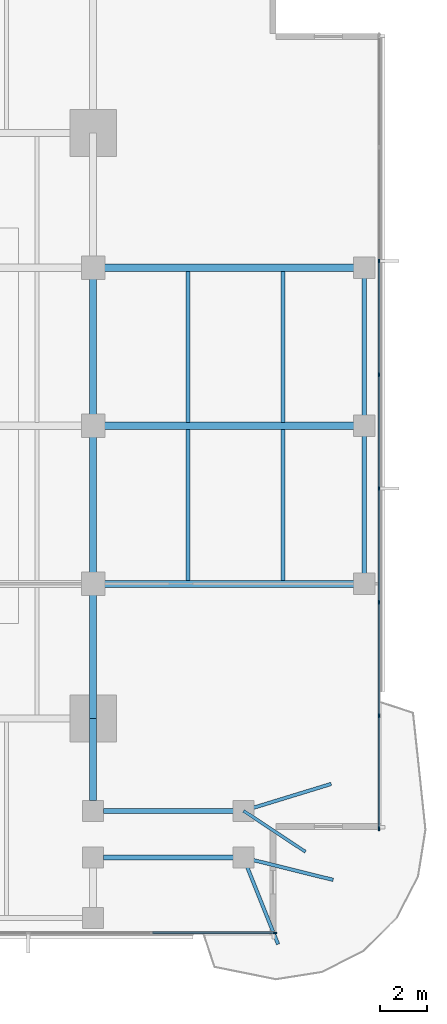
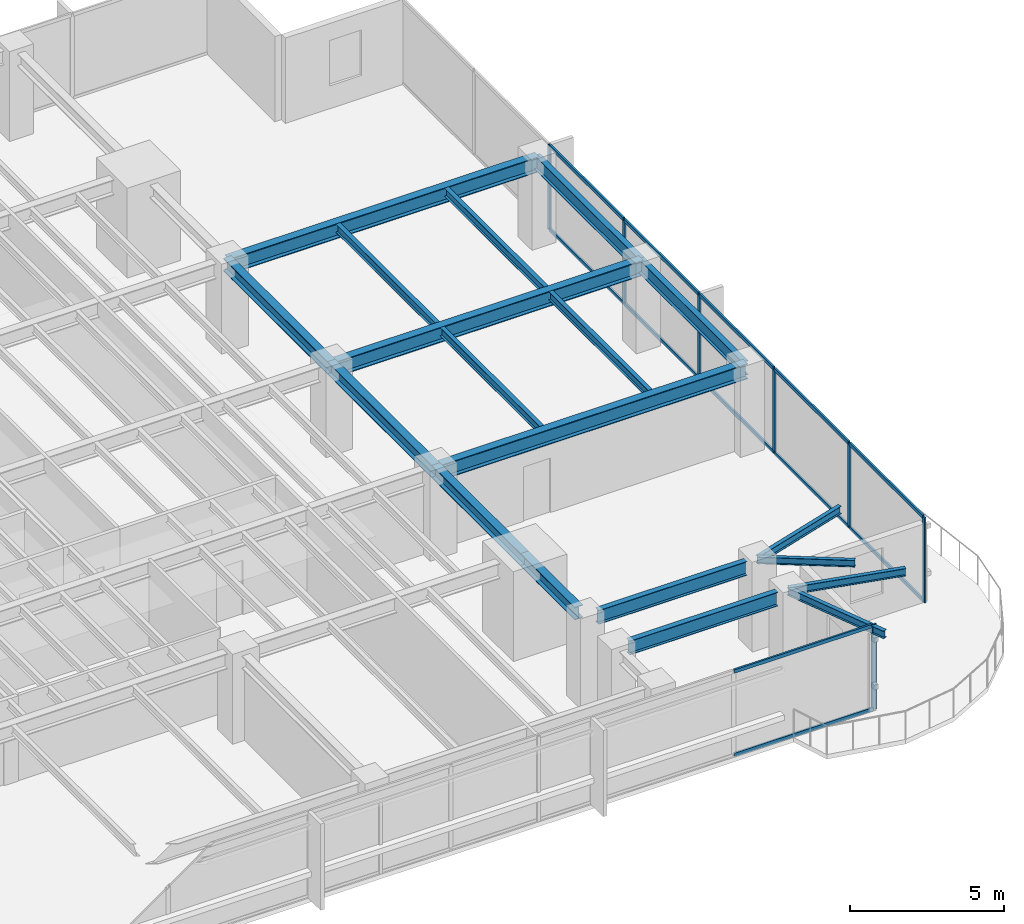
# One storey, part 4 of 14: 19 beams, 19 members, 2 elements without a shape of their own.
"""IFC4 building model written with IfcOpenShell, lengths in metres."""

from ifc_helpers import new_model, si_unit, direction, frame, origin, origin_2d, place, context, subcontext, project, spatial, rectangle, i_section, extrude, material, layer, layer_set, material_profile, profile_set, type_object, element, aggregate, save


model = new_model("IFC4")

# Units and contexts
model_context = context("Model", 3, precision=1e-05, world=origin(), true_north=direction((0.0, 1.0)))
body_context = subcontext(model_context, "Body", "Model", "MODEL_VIEW")
ifc_project = project(units=[si_unit("LENGTHUNIT", "METRE"), si_unit("AREAUNIT", "SQUARE_METRE"), si_unit("VOLUMEUNIT", "CUBIC_METRE"), si_unit("PLANEANGLEUNIT", "RADIAN"), si_unit("MASSUNIT", "GRAM", prefix="KILO")], contexts=[model_context])

# Site, building, storey
site_placement = place(None, origin())
site = spatial("IfcSite", under=ifc_project, at=site_placement, CompositionType="ELEMENT")
building_placement = place(site_placement, origin())
building = spatial("IfcBuilding", under=site, at=building_placement, Name="Kinhvarn Gate Tower", CompositionType="ELEMENT")
storey_placement = place(building_placement, frame((0.0, 0.0, 137.75)))
storey = spatial("IfcBuildingStorey", under=building, at=storey_placement, Name="L36", CompositionType="ELEMENT", Elevation=137.75)

# Curtain wall, member
ifc_material_1 = material(Name="Anodised aluminium AW-6063", Category="aluminium")
ifc_layer = layer(ifc_material_1, 0.179931640625)
ifc_layer_set = layer_set([ifc_layer], Name="Anodised aluminium AW-6063")
curtain_wall_type = type_object("IfcCurtainWallType", Name="CW-SYS-3", PredefinedType="NOTDEFINED", material=ifc_layer_set)
curtain_wall_1_placement = place(storey_placement, origin())
curtain_wall_1 = element("IfcCurtainWall", 1, at=curtain_wall_1_placement, inside=storey, type_object=curtain_wall_type, Name="Curtain Wall CW3 (L36)", PredefinedType="NOTDEFINED")
ifc_material_profile_1 = material_profile(ifc_material_1, rectangle(XDim=0.06494140625, YDim=0.159912109375, at=origin_2d()), Name="ALU 65x160")
ifc_profile_set_1 = profile_set([ifc_material_profile_1], Name="Anodised aluminium AW-6063")
member_type_1 = type_object("IfcMemberType", Name="CW-MUL-160", PredefinedType="MULLION", material=ifc_profile_set_1)
member_1_placement = place(storey_placement, frame((45.967529296875, 3.590087890625, 0.0), z_axis=(0.0, 0.0, 1.0), x_axis=(0.0, 1.0, 0.0)))
member_1 = element("IfcMember", 2, at=member_1_placement, type_object=member_type_1, Name="CW3 mullion 8", PredefinedType="MULLION", context=body_context, shape_type="SweptSolid", body=[
    extrude(rectangle(XDim=0.06494140625, YDim=0.159912109375, at=origin_2d()), origin(), (0.0, 0.0, 1.0), 3.3701171875),
])

# Curtain wall, members
curtain_wall_2_placement = place(storey_placement, origin())
curtain_wall_2 = element("IfcCurtainWall", 3, at=curtain_wall_2_placement, inside=storey, type_object=curtain_wall_type, Name="Curtain Wall CW3 (L36)", PredefinedType="NOTDEFINED")
member_2_placement = place(storey_placement, frame((50.409912109375, 8.032470703125, 0.0), z_axis=(0.0, 0.0, 1.0), x_axis=(-1.0, 0.0, 0.0)))
member_2 = element("IfcMember", 4, at=member_2_placement, type_object=member_type_1, Name="CW3 mullion 1", PredefinedType="MULLION", context=body_context, shape_type="SweptSolid", body=[
    extrude(rectangle(XDim=0.06494140625, YDim=0.159912109375, at=origin_2d()), origin(), (0.0, 0.0, 1.0), 3.3701171875),
])
member_3_placement = place(storey_placement, frame((50.409912109375, 12.857177734375, 0.0), z_axis=(0.0, 0.0, 1.0), x_axis=(-1.0, 0.0, 0.0)))
member_3 = element("IfcMember", 5, at=member_3_placement, type_object=member_type_1, Name="CW3 mullion 2", PredefinedType="MULLION", context=body_context, shape_type="SweptSolid", body=[
    extrude(rectangle(XDim=0.06494140625, YDim=0.159912109375, at=origin_2d()), origin(), (0.0, 0.0, 1.0), 3.3701171875),
])
member_4_placement = place(storey_placement, frame((50.409912109375, 17.71435546875, 0.0), z_axis=(0.0, 0.0, 1.0), x_axis=(-1.0, 0.0, 0.0)))
member_4 = element("IfcMember", 6, at=member_4_placement, type_object=member_type_1, Name="CW3 mullion 3", PredefinedType="MULLION", context=body_context, shape_type="SweptSolid", body=[
    extrude(rectangle(XDim=0.06494140625, YDim=0.159912109375, at=origin_2d()), origin(), (0.0, 0.0, 1.0), 3.3701171875),
])
member_5_placement = place(storey_placement, frame((50.409912109375, 22.571533203125, 0.0), z_axis=(0.0, 0.0, 1.0), x_axis=(-1.0, 0.0, 0.0)))
member_5 = element("IfcMember", 7, at=member_5_placement, type_object=member_type_1, Name="CW3 mullion 4", PredefinedType="MULLION", context=body_context, shape_type="SweptSolid", body=[
    extrude(rectangle(XDim=0.06494140625, YDim=0.159912109375, at=origin_2d()), origin(), (0.0, 0.0, 1.0), 3.3701171875),
])
member_6_placement = place(storey_placement, frame((50.409912109375, 27.428466796875, 0.0), z_axis=(0.0, 0.0, 1.0), x_axis=(-1.0, 0.0, 0.0)))
member_6 = element("IfcMember", 8, at=member_6_placement, type_object=member_type_1, Name="CW3 mullion 5", PredefinedType="MULLION", context=body_context, shape_type="SweptSolid", body=[
    extrude(rectangle(XDim=0.06494140625, YDim=0.159912109375, at=origin_2d()), origin(), (0.0, 0.0, 1.0), 3.3701171875),
])
member_7_placement = place(storey_placement, frame((50.409912109375, 32.28564453125, 0.0), z_axis=(0.0, 0.0, 1.0), x_axis=(-1.0, 0.0, 0.0)))
member_7 = element("IfcMember", 9, at=member_7_placement, type_object=member_type_1, Name="CW3 mullion 6", PredefinedType="MULLION", context=body_context, shape_type="SweptSolid", body=[
    extrude(rectangle(XDim=0.06494140625, YDim=0.159912109375, at=origin_2d()), origin(), (0.0, 0.0, 1.0), 3.3701171875),
])

# Member
ifc_material_profile_2 = material_profile(ifc_material_1, rectangle(XDim=0.070068359375, YDim=0.139892578125, at=origin_2d()), Name="ALU 70x140")
ifc_profile_set_2 = profile_set([ifc_material_profile_2], Name="Anodised aluminium AW-6063")
member_type_2 = type_object("IfcMemberType", Name="CW-TRN-140", PredefinedType="USERDEFINED", material=ifc_profile_set_2)
member_8_placement = place(storey_placement, frame((40.746826171875, 3.590087890625, 0.034912109375), z_axis=(1.0, 0.0, 0.0), x_axis=(0.0, 1.0, 0.0)))
member_8 = element("IfcMember", 10, at=member_8_placement, type_object=member_type_2, Name="CW3 transom 7.1", ObjectType="TRANSOM", PredefinedType="USERDEFINED", context=body_context, shape_type="SweptSolid", body=[
    extrude(rectangle(XDim=0.070068359375, YDim=0.139892578125, at=origin_2d()), origin(), (0.0, 0.0, 1.0), 5.188232421875),
])

member_9_placement = place(storey_placement, frame((40.746826171875, 3.590087890625, 3.3349609375), z_axis=(1.0, 0.0, 0.0), x_axis=(0.0, 1.0, 0.0)))
member_9 = element("IfcMember", 11, at=member_9_placement, type_object=member_type_2, Name="CW3 transom 7.2", ObjectType="TRANSOM", PredefinedType="USERDEFINED", context=body_context, shape_type="SweptSolid", body=[
    extrude(rectangle(XDim=0.070068359375, YDim=0.139892578125, at=origin_2d()), origin(), (0.0, 0.0, 1.0), 5.188232421875),
])

aggregate(curtain_wall_1, [member_1, member_8, member_9])

member_10_placement = place(storey_placement, frame((50.409912109375, 8.06494140625, 0.034912109375), z_axis=(0.0, 1.0, 0.0), x_axis=(-1.0, 0.0, 0.0)))
member_10 = element("IfcMember", 12, at=member_10_placement, type_object=member_type_2, Name="CW3 transom 1.1", ObjectType="TRANSOM", PredefinedType="USERDEFINED", context=body_context, shape_type="SweptSolid", body=[
    extrude(rectangle(XDim=0.070068359375, YDim=0.139892578125, at=origin_2d()), origin(), (0.0, 0.0, 1.0), 4.759765625),
])

member_11_placement = place(storey_placement, frame((50.409912109375, 8.06494140625, 3.3349609375), z_axis=(0.0, 1.0, 0.0), x_axis=(-1.0, 0.0, 0.0)))
member_11 = element("IfcMember", 13, at=member_11_placement, type_object=member_type_2, Name="CW3 transom 1.2", ObjectType="TRANSOM", PredefinedType="USERDEFINED", context=body_context, shape_type="SweptSolid", body=[
    extrude(rectangle(XDim=0.070068359375, YDim=0.139892578125, at=origin_2d()), origin(), (0.0, 0.0, 1.0), 4.759765625),
])

member_12_placement = place(storey_placement, frame((50.409912109375, 12.8896484375, 0.034912109375), z_axis=(0.0, 1.0, 0.0), x_axis=(-1.0, 0.0, 0.0)))
member_12 = element("IfcMember", 14, at=member_12_placement, type_object=member_type_2, Name="CW3 transom 2.1", ObjectType="TRANSOM", PredefinedType="USERDEFINED", context=body_context, shape_type="SweptSolid", body=[
    extrude(rectangle(XDim=0.070068359375, YDim=0.139892578125, at=origin_2d()), origin(), (0.0, 0.0, 1.0), 4.792236328125),
])

member_13_placement = place(storey_placement, frame((50.409912109375, 12.8896484375, 3.3349609375), z_axis=(0.0, 1.0, 0.0), x_axis=(-1.0, 0.0, 0.0)))
member_13 = element("IfcMember", 15, at=member_13_placement, type_object=member_type_2, Name="CW3 transom 2.2", ObjectType="TRANSOM", PredefinedType="USERDEFINED", context=body_context, shape_type="SweptSolid", body=[
    extrude(rectangle(XDim=0.070068359375, YDim=0.139892578125, at=origin_2d()), origin(), (0.0, 0.0, 1.0), 4.792236328125),
])

member_14_placement = place(storey_placement, frame((50.409912109375, 17.746826171875, 0.034912109375), z_axis=(0.0, 1.0, 0.0), x_axis=(-1.0, 0.0, 0.0)))
member_14 = element("IfcMember", 16, at=member_14_placement, type_object=member_type_2, Name="CW3 transom 3.1", ObjectType="TRANSOM", PredefinedType="USERDEFINED", context=body_context, shape_type="SweptSolid", body=[
    extrude(rectangle(XDim=0.070068359375, YDim=0.139892578125, at=origin_2d()), origin(), (0.0, 0.0, 1.0), 4.7919921875),
])

member_15_placement = place(storey_placement, frame((50.409912109375, 17.746826171875, 3.3349609375), z_axis=(0.0, 1.0, 0.0), x_axis=(-1.0, 0.0, 0.0)))
member_15 = element("IfcMember", 17, at=member_15_placement, type_object=member_type_2, Name="CW3 transom 3.2", ObjectType="TRANSOM", PredefinedType="USERDEFINED", context=body_context, shape_type="SweptSolid", body=[
    extrude(rectangle(XDim=0.070068359375, YDim=0.139892578125, at=origin_2d()), origin(), (0.0, 0.0, 1.0), 4.7919921875),
])

member_16_placement = place(storey_placement, frame((50.409912109375, 22.60400390625, 0.034912109375), z_axis=(0.0, 1.0, 0.0), x_axis=(-1.0, 0.0, 0.0)))
member_16 = element("IfcMember", 18, at=member_16_placement, type_object=member_type_2, Name="CW3 transom 4.1", ObjectType="TRANSOM", PredefinedType="USERDEFINED", context=body_context, shape_type="SweptSolid", body=[
    extrude(rectangle(XDim=0.070068359375, YDim=0.139892578125, at=origin_2d()), origin(), (0.0, 0.0, 1.0), 4.7919921875),
])

member_17_placement = place(storey_placement, frame((50.409912109375, 22.60400390625, 3.3349609375), z_axis=(0.0, 1.0, 0.0), x_axis=(-1.0, 0.0, 0.0)))
member_17 = element("IfcMember", 19, at=member_17_placement, type_object=member_type_2, Name="CW3 transom 4.2", ObjectType="TRANSOM", PredefinedType="USERDEFINED", context=body_context, shape_type="SweptSolid", body=[
    extrude(rectangle(XDim=0.070068359375, YDim=0.139892578125, at=origin_2d()), origin(), (0.0, 0.0, 1.0), 4.7919921875),
])

member_18_placement = place(storey_placement, frame((50.409912109375, 27.461181640625, 0.034912109375), z_axis=(0.0, 1.0, 0.0), x_axis=(-1.0, 0.0, 0.0)))
member_18 = element("IfcMember", 20, at=member_18_placement, type_object=member_type_2, Name="CW3 transom 5.1", ObjectType="TRANSOM", PredefinedType="USERDEFINED", context=body_context, shape_type="SweptSolid", body=[
    extrude(rectangle(XDim=0.070068359375, YDim=0.139892578125, at=origin_2d()), origin(), (0.0, 0.0, 1.0), 4.7919921875),
])

member_19_placement = place(storey_placement, frame((50.409912109375, 27.461181640625, 3.3349609375), z_axis=(0.0, 1.0, 0.0), x_axis=(-1.0, 0.0, 0.0)))
member_19 = element("IfcMember", 21, at=member_19_placement, type_object=member_type_2, Name="CW3 transom 5.2", ObjectType="TRANSOM", PredefinedType="USERDEFINED", context=body_context, shape_type="SweptSolid", body=[
    extrude(rectangle(XDim=0.070068359375, YDim=0.139892578125, at=origin_2d()), origin(), (0.0, 0.0, 1.0), 4.7919921875),
])

aggregate(curtain_wall_2, [member_2, member_3, member_4, member_5, member_6, member_7, member_10, member_11, member_12, member_13, member_14, member_15, member_16, member_17, member_18, member_19])

# Beams
ifc_material_2 = material(Name="Steel S355", Category="steel")
ifc_material_profile_3 = material_profile(ifc_material_2, i_section(OverallWidth=0.300048828125, OverallDepth=0.5, WebThickness=0.014404296875, FlangeThickness=0.028076171875, at=origin_2d()), Name="HEB 500")
ifc_profile_set_3 = profile_set([ifc_material_profile_3], Name="Steel S355")
beam_type_1 = type_object("IfcBeamType", Name="STL-HEB500", PredefinedType="BEAM", material=ifc_profile_set_3)
beam_1_placement = place(storey_placement, frame((38.199951171875, 9.235107421875, 3.1201171875), z_axis=(0.0, 1.0, 0.0), x_axis=(-1.0, 0.0, 0.0)))
element("IfcBeam", 22, at=beam_1_placement, inside=storey, type_object=beam_type_1, Name="Floor Beam PG-14 (L36 MCE-S-A2)", PredefinedType="BEAM", context=body_context, shape_type="SweptSolid", body=[
    extrude(i_section(OverallWidth=0.300048828125, OverallDepth=0.5, WebThickness=0.014404296875, FlangeThickness=0.028076171875, at=origin_2d()), origin(), (0.0, 0.0, 1.0), 3.514892578125),
])
beam_2_placement = place(storey_placement, frame((38.199951171875, 12.75, 3.1201171875), z_axis=(0.0, 1.0, 0.0), x_axis=(-1.0, 0.0, 0.0)))
element("IfcBeam", 23, at=beam_2_placement, inside=storey, type_object=beam_type_1, Name="Floor Beam PG-14 (L36 MG-E-12)", PredefinedType="BEAM", context=body_context, shape_type="SweptSolid", body=[
    extrude(i_section(OverallWidth=0.300048828125, OverallDepth=0.5, WebThickness=0.014404296875, FlangeThickness=0.028076171875, at=origin_2d()), origin(), (0.0, 0.0, 1.0), 5.75),
])
for number, where, z_axis, x_axis, name in (
    (24, (38.199951171875, 18.5, 3.1201171875), (0.0, 1.0, 0.0), (-1.0, 0.0, 0.0), "Floor Beam PG-14 (L36 MG-E-18)"),
    (25, (38.199951171875, 25.25, 3.1201171875), (0.0, 1.0, 0.0), (-1.0, 0.0, 0.0), "Floor Beam PG-14 (L36 MG-E-25)"),
):
    element("IfcBeam", number, at=place(storey_placement, frame(where, z_axis=z_axis, x_axis=x_axis)), inside=storey, type_object=beam_type_1, Name=name, PredefinedType="BEAM", context=body_context, shape_type="SweptSolid", body=[
        extrude(i_section(OverallWidth=0.300048828125, OverallDepth=0.5, WebThickness=0.014404296875, FlangeThickness=0.028076171875, at=origin_2d()), origin(), (0.0, 0.0, 1.0), 6.75),
    ])
ifc_material_profile_4 = material_profile(ifc_material_2, i_section(OverallWidth=0.300048828125, OverallDepth=0.60009765625, WebThickness=0.015380859375, FlangeThickness=0.030029296875, at=origin_2d()), Name="HEB 600")
ifc_profile_set_4 = profile_set([ifc_material_profile_4], Name="Steel S355")
beam_type_2 = type_object("IfcBeamType", Name="STL-HEB600", PredefinedType="BEAM", material=ifc_profile_set_4)
for number, where, z_axis, x_axis, name in (
    (26, (38.199951171875, 18.5, 3.070068359375), (1.0, 0.0, 0.0), (0.0, 1.0, 0.0), "Floor Beam PG-16 (L36 EW2-Y18)"),
    (27, (38.199951171875, 25.25, 3.070068359375), (1.0, 0.0, 0.0), (0.0, 1.0, 0.0), "Floor Beam PG-16 (L36 EW2-Y25)"),
    (28, (38.199951171875, 32.0, 3.070068359375), (1.0, 0.0, 0.0), (0.0, 1.0, 0.0), "Floor Beam PG-16 (L36 EW2-Y32)"),
):
    element("IfcBeam", number, at=place(storey_placement, frame(where, z_axis=z_axis, x_axis=x_axis)), inside=storey, type_object=beam_type_2, Name=name, PredefinedType="BEAM", context=body_context, shape_type="SweptSolid", body=[
        extrude(i_section(OverallWidth=0.300048828125, OverallDepth=0.60009765625, WebThickness=0.015380859375, FlangeThickness=0.030029296875, at=origin_2d()), origin(), (0.0, 0.0, 1.0), 11.580078125),
    ])
ifc_material_profile_5 = material_profile(ifc_material_2, i_section(OverallWidth=0.135009765625, OverallDepth=0.27001953125, WebThickness=0.006591796875, FlangeThickness=0.01025390625, at=origin_2d()), Name="IPE 270")
ifc_profile_set_5 = profile_set([ifc_material_profile_5], Name="Steel S355")
beam_type_3 = type_object("IfcBeamType", Name="STL-IPE270", PredefinedType="JOIST", material=ifc_profile_set_5)
beam_3_placement = place(storey_placement, frame((44.6201171875, 8.800048828125, 3.235107421875), z_axis=(0.834455271211, -0.5510756757, 0.0), x_axis=(0.5510756757, 0.834455271211, 0.0)))
element("IfcBeam", 29, at=beam_3_placement, inside=storey, type_object=beam_type_3, Name="Floor Joist SB-01 (L36 BAL-B3-L37)", PredefinedType="JOIST", context=body_context, shape_type="SweptSolid", body=[
    extrude(i_section(OverallWidth=0.135009765625, OverallDepth=0.27001953125, WebThickness=0.006591796875, FlangeThickness=0.01025390625, at=origin_2d()), origin(), (0.0, 0.0, 1.0), 3.175537109375),
])
ifc_material_profile_6 = material_profile(ifc_material_2, i_section(OverallWidth=0.14990234375, OverallDepth=0.300048828125, WebThickness=0.007080078125, FlangeThickness=0.0107421875, at=origin_2d()), Name="IPE 300")
ifc_profile_set_6 = profile_set([ifc_material_profile_6], Name="Steel S355")
beam_type_4 = type_object("IfcBeamType", Name="STL-IPE300", PredefinedType="JOIST", material=ifc_profile_set_6)
beam_4_placement = place(storey_placement, frame((44.6201171875, 6.800048828125, 3.219970703125), z_axis=(0.97058851083, -0.240744558911, 0.0), x_axis=(0.240744558911, 0.97058851083, 0.0)))
element("IfcBeam", 30, at=beam_4_placement, inside=storey, type_object=beam_type_4, Name="Floor Joist SB-02 (L36 BAL-B1-L37)", PredefinedType="JOIST", context=body_context, shape_type="SweptSolid", body=[
    extrude(i_section(OverallWidth=0.14990234375, OverallDepth=0.300048828125, WebThickness=0.007080078125, FlangeThickness=0.0107421875, at=origin_2d()), origin(), (0.0, 0.0, 1.0), 3.94580078125),
])
beam_5_placement = place(storey_placement, frame((44.6201171875, 6.800048828125, 3.219970703125), z_axis=(0.371390676354, -0.928476690885, 0.0), x_axis=(0.928476690885, 0.371390676354, 0.0)))
element("IfcBeam", 31, at=beam_5_placement, inside=storey, type_object=beam_type_4, Name="Floor Joist SB-02 (L36 BAL-B2-L37)", PredefinedType="JOIST", context=body_context, shape_type="SweptSolid", body=[
    extrude(i_section(OverallWidth=0.14990234375, OverallDepth=0.300048828125, WebThickness=0.007080078125, FlangeThickness=0.0107421875, at=origin_2d()), origin(), (0.0, 0.0, 1.0), 3.98486328125),
])
beam_6_placement = place(storey_placement, frame((44.6201171875, 8.800048828125, 3.219970703125), z_axis=(0.95606118681, 0.293167199862, 0.0), x_axis=(-0.293167199862, 0.95606118681, 0.0)))
element("IfcBeam", 32, at=beam_6_placement, inside=storey, type_object=beam_type_4, Name="Floor Joist SB-02 (L36 BAL-B5-L37)", PredefinedType="JOIST", context=body_context, shape_type="SweptSolid", body=[
    extrude(i_section(OverallWidth=0.14990234375, OverallDepth=0.300048828125, WebThickness=0.007080078125, FlangeThickness=0.0107421875, at=origin_2d()), origin(), (0.0, 0.0, 1.0), 3.92236328125),
])
ifc_material_profile_7 = material_profile(ifc_material_2, i_section(OverallWidth=0.159912109375, OverallDepth=0.330078125, WebThickness=0.007568359375, FlangeThickness=0.011474609375, at=origin_2d()), Name="IPE 330")
ifc_profile_set_7 = profile_set([ifc_material_profile_7], Name="Steel S355")
beam_type_5 = type_object("IfcBeamType", Name="STL-IPE330", PredefinedType="JOIST", material=ifc_profile_set_7)
for number, where, z_axis, x_axis, name in (
    (33, (42.25, 18.64990234375, 3.205078125), (0.0, 1.0, 0.0), (-1.0, 0.0, 0.0), "Floor Joist SB-03 (L36 JC-X422-1)"),
    (34, (42.25, 25.39990234375, 3.205078125), (0.0, 1.0, 0.0), (-1.0, 0.0, 0.0), "Floor Joist SB-03 (L36 JC-X422-2)"),
    (35, (46.31005859375, 18.64990234375, 3.205078125), (0.0, 1.0, 0.0), (-1.0, 0.0, 0.0), "Floor Joist SB-03 (L36 JC-X463-1)"),
    (36, (46.31005859375, 25.39990234375, 3.205078125), (0.0, 1.0, 0.0), (-1.0, 0.0, 0.0), "Floor Joist SB-03 (L36 JC-X463-2)"),
):
    element("IfcBeam", number, at=place(storey_placement, frame(where, z_axis=z_axis, x_axis=x_axis)), inside=storey, type_object=beam_type_5, Name=name, PredefinedType="JOIST", context=body_context, shape_type="SweptSolid", body=[
        extrude(i_section(OverallWidth=0.159912109375, OverallDepth=0.330078125, WebThickness=0.007568359375, FlangeThickness=0.011474609375, at=origin_2d()), origin(), (0.0, 0.0, 1.0), 6.4501953125),
    ])
ifc_material_profile_8 = material_profile(ifc_material_2, i_section(OverallWidth=0.2099609375, OverallDepth=0.550048828125, WebThickness=0.010986328125, FlangeThickness=0.01708984375, at=origin_2d()), Name="IPE 550")
ifc_profile_set_8 = profile_set([ifc_material_profile_8], Name="Steel S355")
beam_type_6 = type_object("IfcBeamType", Name="STL-IPE550", PredefinedType="SPANDREL", material=ifc_profile_set_8)
for number, where, z_axis, x_axis, name in (
    (37, (38.635009765625, 8.800048828125, 3.094970703125), (1.0, 0.0, 0.0), (0.0, 1.0, 0.0), "Floor Spandrel SB-08 (L36 SP-SE2)"),
    (38, (38.635009765625, 6.800048828125, 3.094970703125), (1.0, 0.0, 0.0), (0.0, 1.0, 0.0), "Floor Spandrel SB-08 (L36 SP-SE2-S)"),
):
    element("IfcBeam", number, at=place(storey_placement, frame(where, z_axis=z_axis, x_axis=x_axis)), inside=storey, type_object=beam_type_6, Name=name, PredefinedType="SPANDREL", context=body_context, shape_type="SweptSolid", body=[
        extrude(i_section(OverallWidth=0.2099609375, OverallDepth=0.550048828125, WebThickness=0.010986328125, FlangeThickness=0.01708984375, at=origin_2d()), origin(), (0.0, 0.0, 1.0), 5.550048828125),
    ])
for number, where, z_axis, x_axis, name in (
    (39, (49.780029296875, 18.5, 3.094970703125), (0.0, 1.0, 0.0), (-1.0, 0.0, 0.0), "Floor Spandrel SB-08 (L36 SP-E2)"),
    (40, (49.780029296875, 25.25, 3.094970703125), (0.0, 1.0, 0.0), (-1.0, 0.0, 0.0), "Floor Spandrel SB-08 (L36 SP-E3)"),
):
    element("IfcBeam", number, at=place(storey_placement, frame(where, z_axis=z_axis, x_axis=x_axis)), inside=storey, type_object=beam_type_6, Name=name, PredefinedType="SPANDREL", context=body_context, shape_type="SweptSolid", body=[
        extrude(i_section(OverallWidth=0.2099609375, OverallDepth=0.550048828125, WebThickness=0.010986328125, FlangeThickness=0.01708984375, at=origin_2d()), origin(), (0.0, 0.0, 1.0), 6.75),
    ])

save(model, "model.ifc")
